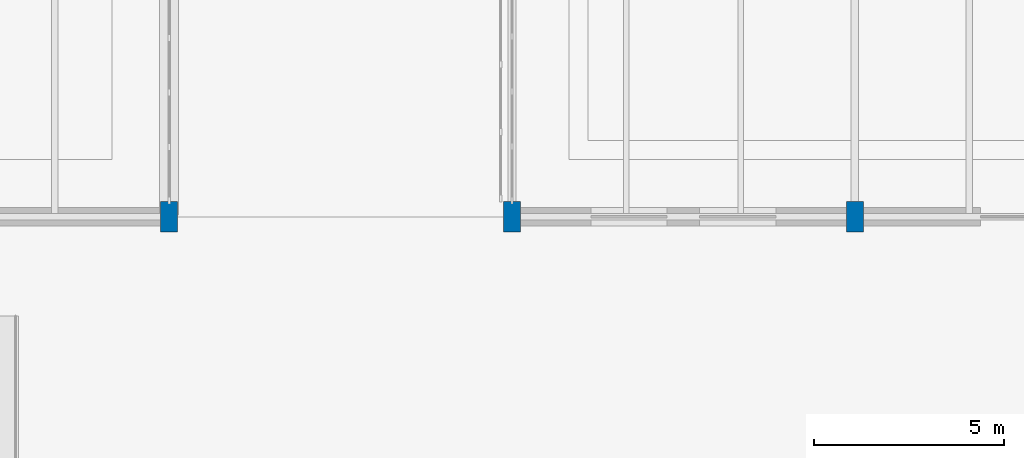
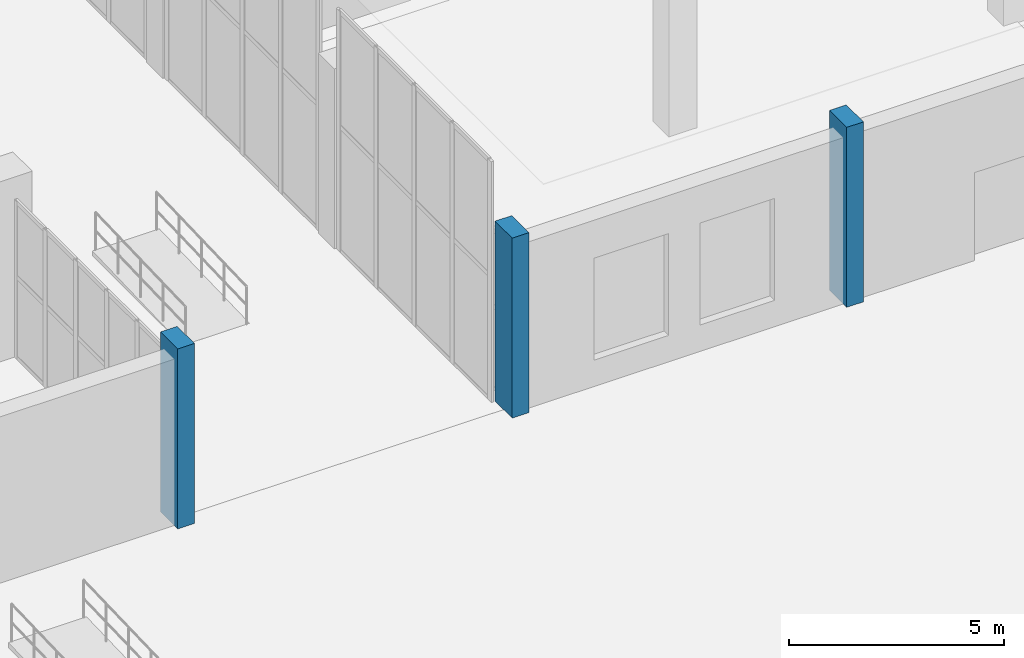
# One storey, part 11 of 103: 3 columns.
"""IFC4 building model written with IfcOpenShell, lengths in metres."""

from ifc_helpers import new_model, si_unit, direction, frame, origin, origin_2d, place, context, subcontext, project, spatial, rectangle, extrude, material, material_profile, profile_set, type_object, element, save


model = new_model("IFC4")

# Units and contexts
model_context = context("Model", 3, precision=1e-05, world=origin(), true_north=direction((0.0, 1.0)))
body_context = subcontext(model_context, "Body", "Model", "MODEL_VIEW")
ifc_project = project(units=[si_unit("LENGTHUNIT", "METRE"), si_unit("AREAUNIT", "SQUARE_METRE"), si_unit("VOLUMEUNIT", "CUBIC_METRE"), si_unit("PLANEANGLEUNIT", "RADIAN"), si_unit("MASSUNIT", "GRAM", prefix="KILO")], contexts=[model_context])

# Site, building, storey
site_placement = place(None, origin())
site = spatial("IfcSite", under=ifc_project, at=site_placement, CompositionType="ELEMENT")
building_placement = place(site_placement, origin())
building = spatial("IfcBuilding", under=site, at=building_placement, Name="Marnock Terrace Opera House", CompositionType="ELEMENT")
storey_placement = place(building_placement, origin())
storey = spatial("IfcBuildingStorey", under=building, at=storey_placement, Name="L00", CompositionType="ELEMENT", Elevation=0.0)

# Columns
ifc_material = material(Name="Concrete N40 (f'c = 40 MPa)", Category="concrete")
ifc_material_profile = material_profile(ifc_material, rectangle(XDim=0.449951171875, YDim=0.800048828125, at=origin_2d()))
ifc_profile_set = profile_set([ifc_material_profile], Name="Concrete N40 (f'c = 40 MPa)")
column_type = type_object("IfcColumnType", Name="COL-PIL-800", PredefinedType="PILASTER", material=ifc_profile_set)
for number, where, z_axis, x_axis, name in (
    (1, (109.0, 8.0, 0.0), (0.0, 0.0, 1.0), (1.0, 0.0, 0.0), "L00 column at (109.0, 8.0)"),
    (2, (118.0, 8.0, 0.0), (0.0, 0.0, 1.0), (1.0, 0.0, 0.0), "L00 column at (118.0, 8.0)"),
    (3, (127.0, 8.0, 0.0), (0.0, 0.0, 1.0), (1.0, 0.0, 0.0), "L00 column at (127.0, 8.0)"),
):
    element("IfcColumn", number, at=place(storey_placement, frame(where, z_axis=z_axis, x_axis=x_axis)), inside=storey, type_object=column_type, Name=name, PredefinedType="PILASTER", context=body_context, shape_type="SweptSolid", body=[
        extrude(rectangle(XDim=0.449951171875, YDim=0.800048828125, at=origin_2d()), origin(), (0.0, 0.0, 1.0), 5.1201171875),
    ])

save(model, "model.ifc")
